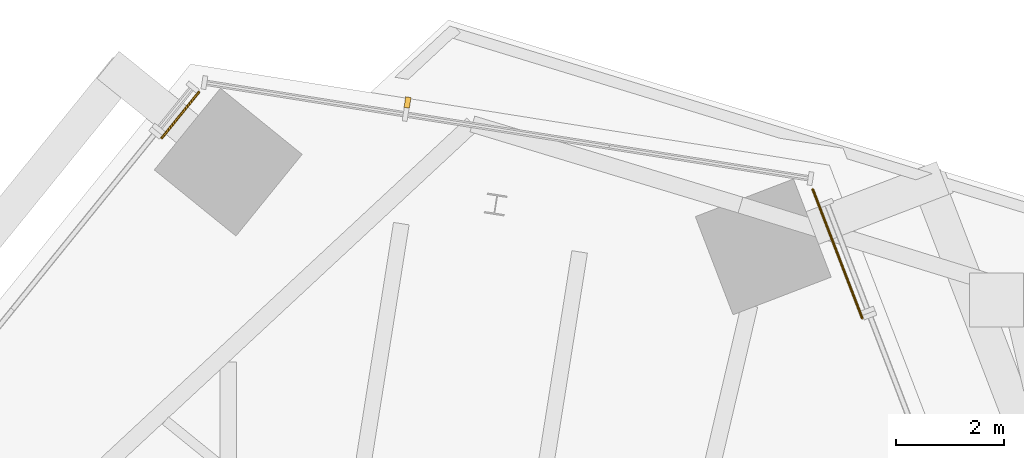
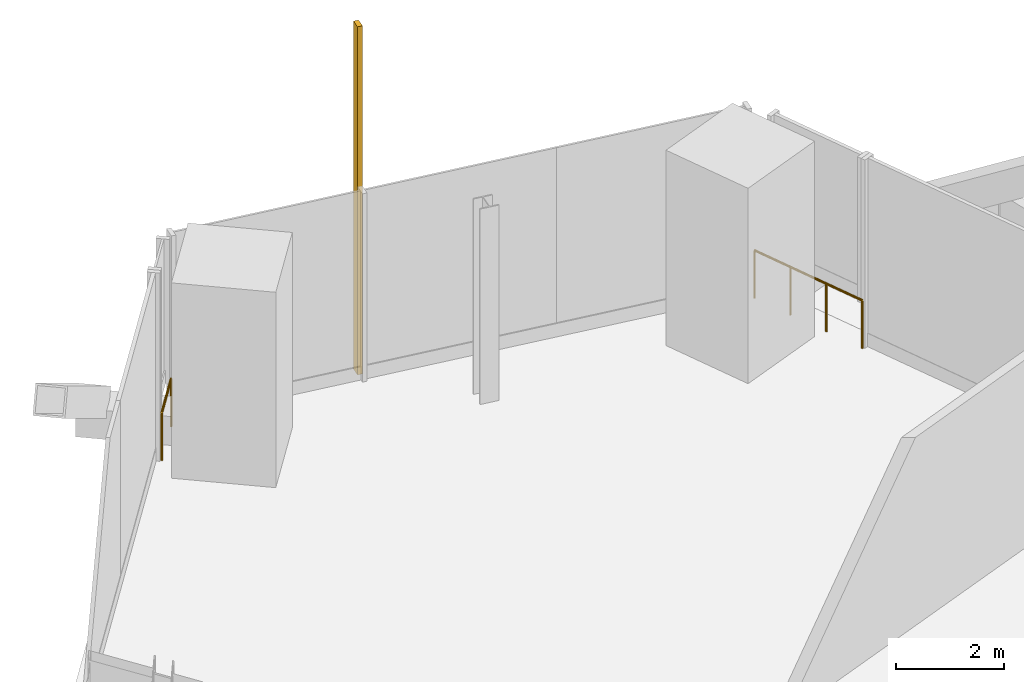
# One storey, part 20 of 22: 2 railings, 1 shading device.
"""IFC4 building model written with IfcOpenShell, lengths in metres."""

from ifc_helpers import new_model, si_unit, direction, frame, origin, origin_2d, place, context, subcontext, project, spatial, rectangle, circle, extrude, source, transform, mapped, material, type_object, element, save


model = new_model("IFC4")

# Units and contexts
model_context = context("Model", 3, precision=1e-05, world=origin(), true_north=direction((0.0, 1.0)))
body_context = subcontext(model_context, "Body", "Model", "MODEL_VIEW")
ifc_project = project(units=[si_unit("LENGTHUNIT", "METRE"), si_unit("AREAUNIT", "SQUARE_METRE"), si_unit("VOLUMEUNIT", "CUBIC_METRE"), si_unit("PLANEANGLEUNIT", "RADIAN"), si_unit("MASSUNIT", "GRAM", prefix="KILO")], contexts=[model_context])

# Site, building, storey
site_placement = place(None, origin())
site = spatial("IfcSite", under=ifc_project, at=site_placement, CompositionType="ELEMENT")
building_placement = place(site_placement, origin())
building = spatial("IfcBuilding", under=site, at=building_placement, Name="Triune Harvest Tower", CompositionType="ELEMENT")
storey_placement = place(building_placement, frame((0.0, 0.0, 138.10009765625)))
storey = spatial("IfcBuildingStorey", under=building, at=storey_placement, Name="L35", CompositionType="ELEMENT", Elevation=138.10009765625)

# Railings
ifc_material_1 = material(Name="Glass", Category="glass")
railing_type = type_object("IfcRailingType", Name="GD-3 facade guard 1100", PredefinedType="GUARDRAIL", material=ifc_material_1)
railing_1_placement = place(storey_placement, frame((11.682861328125, 28.726806640625, 0.0)))
element("IfcRailing", 1, at=railing_1_placement, inside=storey, type_object=railing_type, Name="Facade guard B4-F1 L35.1.2", PredefinedType="GUARDRAIL", context=body_context, shape_type="SweptSolid", body=[
    extrude(circle(Radius=0.02392578125, at=origin_2d()), frame((0.0, 0.0, 1.076171875), z_axis=(-0.358397454141, 0.933569100209, 0.0), x_axis=(-0.933569100209, -0.358397454141, 0.0)), (0.0, 0.0, 1.0), 2.56005859375),
    extrude(circle(Radius=0.02099609375, at=origin_2d()), origin(), (0.0, 0.0, 1.0), 1.052001953125),
    extrude(circle(Radius=0.02099609375, at=origin_2d()), frame((-0.305908203125, 0.796630859375, 0.0)), (0.0, 0.0, 1.0), 1.052001953125),
    extrude(circle(Radius=0.02099609375, at=origin_2d()), frame((-0.611572265625, 1.59326171875, 0.0)), (0.0, 0.0, 1.0), 1.052001953125),
    extrude(circle(Radius=0.02099609375, at=origin_2d()), frame((-0.91748046875, 2.389892578125, 0.0)), (0.0, 0.0, 1.0), 1.052001953125),
])
railing_2_placement = place(storey_placement, frame((-0.623046875, 32.92041015625, 0.0)))
element("IfcRailing", 2, at=railing_2_placement, inside=storey, type_object=railing_type, Name="Facade guard B4-F3 L35.1.1", PredefinedType="GUARDRAIL", context=body_context, shape_type="SweptSolid", body=[
    extrude(circle(Radius=0.02392578125, at=origin_2d()), frame((0.0, 0.0, 1.076171875), z_axis=(-0.629217436939, -0.777229320761, 0.0), x_axis=(0.777229320761, -0.629217436939, 0.0)), (0.0, 0.0, 1.0), 1.096923828125),
    extrude(circle(Radius=0.02099609375, at=origin_2d()), origin(), (0.0, 0.0, 1.0), 1.052001953125),
    extrude(circle(Radius=0.02099609375, at=origin_2d()), frame((-0.690185546875, -0.8525390625, 0.0)), (0.0, 0.0, 1.0), 1.052001953125),
])

# Shading device
ifc_material_2 = material(Name="Aluminium bronze anodised", Category="aluminium")
shared_shape = source(origin(), body_context, "Body", "SweptSolid", [
    extrude(rectangle(XDim=0.10009765625, YDim=0.199951171875, at=origin_2d()), origin(), (0.0, 0.0, 1.0), 7.840087890625),
])
shading_device_placement = place(storey_placement, frame((3.24755859375, 32.728759765625, 0.0), z_axis=(0.0, 0.0, 1.0), x_axis=(-0.987688615663, 0.156432728322, 0.0)))
element("IfcShadingDevice", 3, at=shading_device_placement, inside=storey, material=ifc_material_2, Name="FN-1 fin B4-F2.3 L35", ObjectType="FIN", PredefinedType="USERDEFINED", context=body_context, shape_type="MappedRepresentation", body=[
    mapped(shared_shape, transform((0.0, 0.0, 0.0), scale=1.0)),
])

save(model, "model.ifc")
